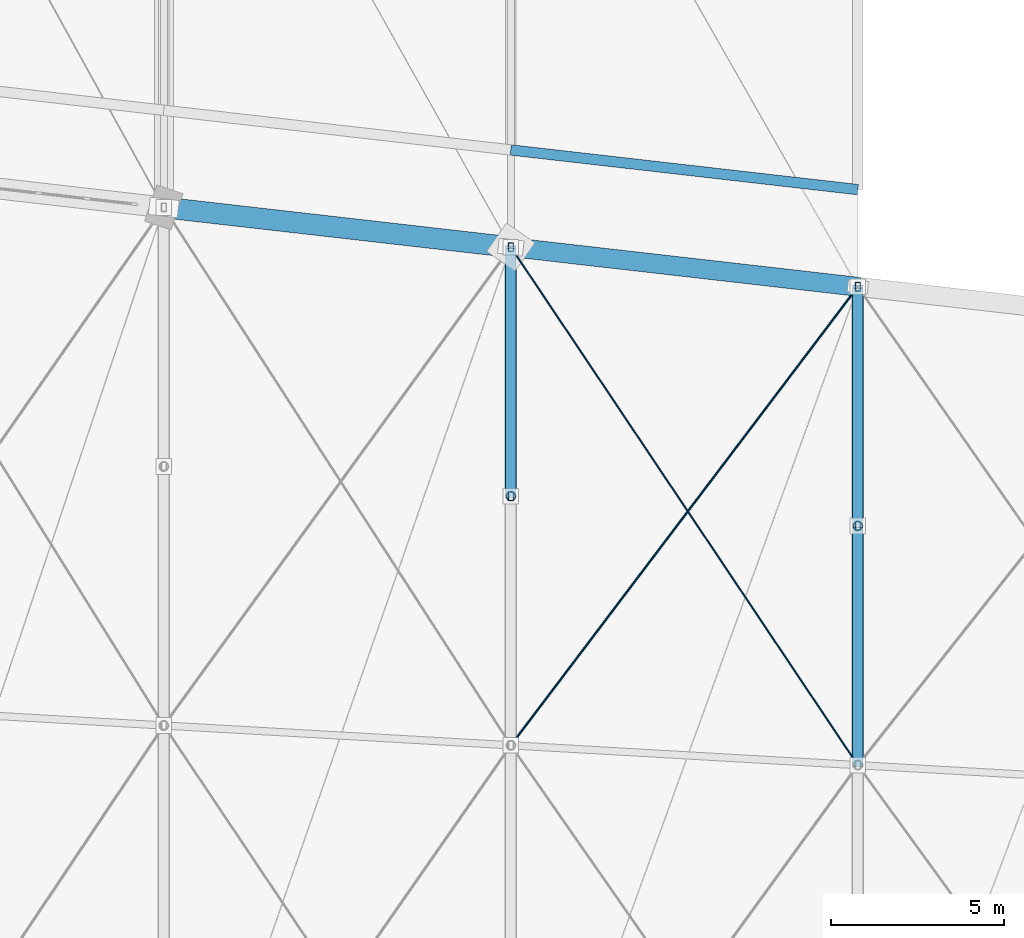
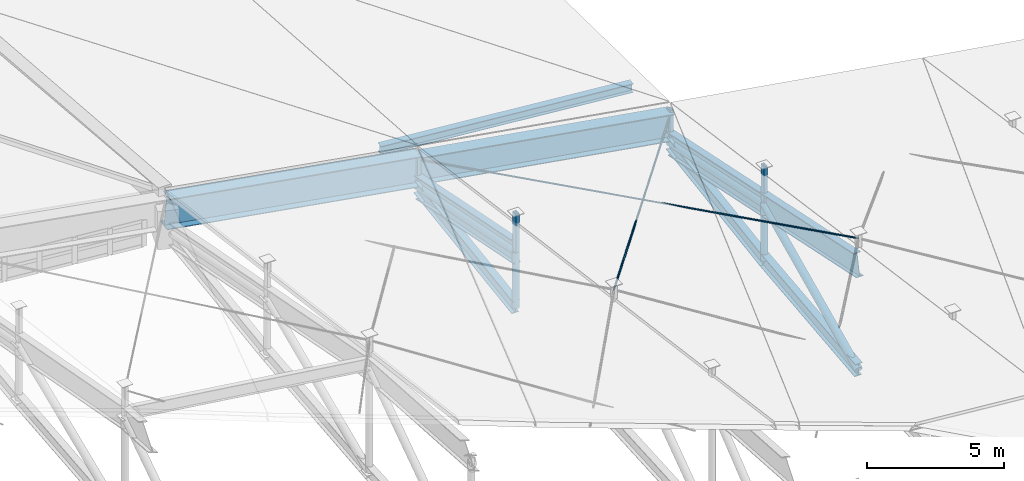
# One storey, part 36 of 68: 11 members, 9 beams.
"""IFC4 building model written with IfcOpenShell, lengths in metres."""

from ifc_helpers import new_model, si_unit, direction, frame, origin, origin_2d, place, context, subcontext, project, spatial, hollow_rectangle, circle, hollow_circle, i_section, extrude, material, material_profile, profile_set, type_object, element, save


model = new_model("IFC4")

# Units and contexts
model_context = context("Model", 3, precision=1e-05, world=origin(), true_north=direction((0.0, 1.0)))
body_context = subcontext(model_context, "Body", "Model", "MODEL_VIEW")
ifc_project = project(units=[si_unit("LENGTHUNIT", "METRE"), si_unit("AREAUNIT", "SQUARE_METRE"), si_unit("VOLUMEUNIT", "CUBIC_METRE"), si_unit("PLANEANGLEUNIT", "RADIAN"), si_unit("MASSUNIT", "GRAM", prefix="KILO")], contexts=[model_context])

# Site, building, storey
site_placement = place(None, origin())
site = spatial("IfcSite", under=ifc_project, at=site_placement, CompositionType="ELEMENT")
building_placement = place(site_placement, origin())
building = spatial("IfcBuilding", under=site, at=building_placement, Name="Sohan Crest Arena", CompositionType="ELEMENT")
storey_placement = place(building_placement, frame((0.0, 0.0, 27.0)))
storey = spatial("IfcBuildingStorey", under=building, at=storey_placement, Name="RF", CompositionType="ELEMENT", Elevation=27.0)

# Beams
ifc_material_1 = material(Name="Steel S355", Category="steel")
ifc_material_profile_1 = material_profile(ifc_material_1, i_section(OverallWidth=0.300048828125, OverallDepth=0.389892578125, WebThickness=0.010986328125, FlangeThickness=0.01904296875, at=origin_2d()), Name="HEA 400")
ifc_profile_set_1 = profile_set([ifc_material_profile_1], Name="Steel S355")
beam_type_1 = type_object("IfcBeamType", Name="STR-BM-B09", PredefinedType="BEAM", material=ifc_profile_set_1)
beam_1_placement = place(storey_placement, frame((128.0, 108.37109375, -0.4150390625), z_axis=(-0.993533063564, 0.113543170668, 0.0), x_axis=(-0.113543170668, -0.993533063564, 0.0)))
element("IfcBeam", 1, at=beam_1_placement, inside=storey, type_object=beam_type_1, Name="Structural beam RG-RF-1913", PredefinedType="BEAM", context=body_context, shape_type="SweptSolid", body=[
    extrude(i_section(OverallWidth=0.300048828125, OverallDepth=0.389892578125, WebThickness=0.010986328125, FlangeThickness=0.01904296875, at=origin_2d()), origin(), (0.0, 0.0, 1.0), 10.065185546875),
])
ifc_material_profile_2 = material_profile(ifc_material_1, i_section(OverallWidth=0.300048828125, OverallDepth=0.60009765625, WebThickness=0.015380859375, FlangeThickness=0.030029296875, at=origin_2d()), Name="HEB 600")
ifc_profile_set_2 = profile_set([ifc_material_profile_2], Name="Steel S355")
beam_type_2 = type_object("IfcBeamType", Name="STR-BM-B15", PredefinedType="BEAM", material=ifc_profile_set_2)
beam_2_placement = place(storey_placement, frame((118.0, 99.534912109375, -1.4130859375), z_axis=(0.0, 0.98947223168, 0.144722848006), x_axis=(-1.0, 0.0, 0.0)))
element("IfcBeam", 2, at=beam_2_placement, inside=storey, type_object=beam_type_2, Name="Structural beam RAB-RF-3063", PredefinedType="BEAM", context=body_context, shape_type="SweptSolid", body=[
    extrude(i_section(OverallWidth=0.300048828125, OverallDepth=0.60009765625, WebThickness=0.015380859375, FlangeThickness=0.030029296875, at=origin_2d()), origin(), (0.0, 0.0, 1.0), 7.255615234375),
])
beam_3_placement = place(storey_placement, frame((128.0, 91.784912109375, -3.02294921875), z_axis=(0.0, 0.994132780739, 0.10816660418), x_axis=(-1.0, 0.0, 0.0)))
element("IfcBeam", 3, at=beam_3_placement, inside=storey, type_object=beam_type_2, Name="Structural beam RAB-RF-3077", PredefinedType="BEAM", context=body_context, shape_type="SweptSolid", body=[
    extrude(i_section(OverallWidth=0.300048828125, OverallDepth=0.60009765625, WebThickness=0.015380859375, FlangeThickness=0.030029296875, at=origin_2d()), origin(), (0.0, 0.0, 1.0), 6.933837890625),
])
beam_4_placement = place(storey_placement, frame((128.0, 98.677978515625, -2.27294921875), z_axis=(0.0, 0.988595277469, 0.150596737565), x_axis=(-1.0, 0.0, 0.0)))
element("IfcBeam", 4, at=beam_4_placement, inside=storey, type_object=beam_type_2, Name="Structural beam RAB-RF-3079", PredefinedType="BEAM", context=body_context, shape_type="SweptSolid", body=[
    extrude(i_section(OverallWidth=0.300048828125, OverallDepth=0.60009765625, WebThickness=0.015380859375, FlangeThickness=0.030029296875, at=origin_2d()), origin(), (0.0, 0.0, 1.0), 6.97265625),
])
ifc_material_profile_3 = material_profile(ifc_material_1, i_section(OverallWidth=0.300048828125, OverallDepth=1.0, WebThickness=0.01904296875, FlangeThickness=0.035888671875, at=origin_2d()), Name="HEB 1000")
ifc_profile_set_3 = profile_set([ifc_material_profile_3], Name="Steel S355")
beam_type_3 = type_object("IfcBeamType", Name="STR-BM-B19", PredefinedType="BEAM", material=ifc_profile_set_3)
beam_5_placement = place(storey_placement, frame((118.0, 99.534912109375, 1.0810546875), z_axis=(0.0, 0.980363374285, -0.19719952931), x_axis=(-1.0, 0.0, 0.0)))
element("IfcBeam", 5, at=beam_5_placement, inside=storey, type_object=beam_type_3, Name="Structural beam RA-RF-3062", PredefinedType="BEAM", context=body_context, shape_type="SweptSolid", body=[
    extrude(i_section(OverallWidth=0.300048828125, OverallDepth=1.0, WebThickness=0.01904296875, FlangeThickness=0.035888671875, at=origin_2d()), origin(), (0.0, 0.0, 1.0), 7.322998046875),
])
for number, where, z_axis, x_axis, name in (
    (6, (128.0, 91.784912109375, 1.6650390625), (0.0, 0.978751972631, -0.205047740955), (-1.0, 0.0, 0.0), "Structural beam RA-RF-3076"),
    (7, (128.0, 98.677978515625, 0.220947265625), (0.0, 0.978758929211, -0.205014532385), (-1.0, 0.0, 0.0), "Structural beam RA-RF-3078"),
):
    element("IfcBeam", number, at=place(storey_placement, frame(where, z_axis=z_axis, x_axis=x_axis)), inside=storey, type_object=beam_type_3, Name=name, PredefinedType="BEAM", context=body_context, shape_type="SweptSolid", body=[
        extrude(i_section(OverallWidth=0.300048828125, OverallDepth=1.0, WebThickness=0.01904296875, FlangeThickness=0.035888671875, at=origin_2d()), origin(), (0.0, 0.0, 1.0), 7.042724609375),
    ])
ifc_material_profile_4 = material_profile(ifc_material_1, i_section(OverallWidth=0.550048828125, OverallDepth=1.199951171875, WebThickness=0.02197265625, FlangeThickness=0.034912109375, at=origin_2d()), Name="PG 1200x550x22x35")
ifc_profile_set_4 = profile_set([ifc_material_profile_4], Name="Steel S355")
beam_type_4 = type_object("IfcBeamType", Name="STR-BM-RB01", PredefinedType="USERDEFINED", material=ifc_profile_set_4)
beam_6_placement = place(storey_placement, frame((128.0, 105.571044921875, -0.4130859375), z_axis=(-0.989922479666, 0.11315471313, 0.085143967184), x_axis=(-0.113567114035, -0.99353032697, 0.0)))
element("IfcBeam", 8, at=beam_6_placement, inside=storey, type_object=beam_type_4, Name="Rising compression ring beam segment RB-32", ObjectType="RING BEAM", PredefinedType="USERDEFINED", context=body_context, shape_type="SweptSolid", body=[
    extrude(i_section(OverallWidth=0.550048828125, OverallDepth=1.199951171875, WebThickness=0.02197265625, FlangeThickness=0.034912109375, at=origin_2d()), origin(), (0.0, 0.0, 1.0), 10.101806640625),
])
ifc_material_profile_5 = material_profile(ifc_material_1, i_section(OverallWidth=0.60009765625, OverallDepth=1.35009765625, WebThickness=0.02392578125, FlangeThickness=0.035888671875, at=origin_2d()), Name="PG 1350x600x24x36")
ifc_profile_set_5 = profile_set([ifc_material_profile_5], Name="Steel S355")
beam_type_5 = type_object("IfcBeamType", Name="STR-BM-RB02", PredefinedType="USERDEFINED", material=ifc_profile_set_5)
beam_7_placement = place(storey_placement, frame((118.0, 106.714111328125, 0.447021484375), z_axis=(-0.989619635692, 0.113095935417, 0.088669532788), x_axis=(-0.113543170668, -0.993533063564, 0.0)))
element("IfcBeam", 9, at=beam_7_placement, inside=storey, type_object=beam_type_5, Name="Rising compression ring beam segment RB-33", ObjectType="RING BEAM", PredefinedType="USERDEFINED", context=body_context, shape_type="SweptSolid", body=[
    extrude(i_section(OverallWidth=0.60009765625, OverallDepth=1.35009765625, WebThickness=0.02392578125, FlangeThickness=0.035888671875, at=origin_2d()), origin(), (0.0, 0.0, 1.0), 10.10498046875),
])

# Members
ifc_material_profile_6 = material_profile(ifc_material_1, hollow_circle(Radius=0.136474609375, WallThickness=0.012451171875, at=origin_2d()), Name="CHS 273x12.5")
ifc_profile_set_6 = profile_set([ifc_material_profile_6], Name="Steel S355")
member_type_1 = type_object("IfcMemberType", Name="STR-MEM-BR02", PredefinedType="BRACE", material=ifc_profile_set_6)
member_1_placement = place(storey_placement, frame((118.0, 99.534912109375, -1.4130859375), z_axis=(0.0, 0.0, 1.0), x_axis=(1.0, 0.0, 0.0)))
element("IfcMember", 10, at=member_1_placement, inside=storey, type_object=member_type_1, Name="Lenticular roof truss web strut TW-131", PredefinedType="BRACE", context=body_context, shape_type="SweptSolid", body=[
    extrude(hollow_circle(Radius=0.136474609375, WallThickness=0.012451171875, at=origin_2d()), origin(), (0.0, 0.0, 1.0), 2.494140625),
])
member_2_placement = place(storey_placement, frame((128.0, 98.677978515625, -2.27294921875), z_axis=(0.0, 0.0, 1.0), x_axis=(1.0, 0.0, 0.0)))
element("IfcMember", 11, at=member_2_placement, inside=storey, type_object=member_type_1, Name="Lenticular roof truss web strut TW-155", PredefinedType="BRACE", context=body_context, shape_type="SweptSolid", body=[
    extrude(hollow_circle(Radius=0.136474609375, WallThickness=0.012451171875, at=origin_2d()), origin(), (0.0, 0.0, 1.0), 2.493896484375),
])
ifc_material_profile_7 = material_profile(ifc_material_1, hollow_circle(Radius=0.161865234375, WallThickness=0.012451171875, at=origin_2d()), Name="CHS 323.9x12.5")
ifc_profile_set_7 = profile_set([ifc_material_profile_7], Name="Steel S355")
member_type_2 = type_object("IfcMemberType", Name="STR-MEM-BR03", PredefinedType="BRACE", material=ifc_profile_set_7)
member_3_placement = place(storey_placement, frame((118.0, 106.714111328125, -0.363037109375), z_axis=(0.0, -0.980363374285, 0.19719952931), x_axis=(1.0, 0.0, 0.0)))
element("IfcMember", 12, at=member_3_placement, inside=storey, type_object=member_type_2, Name="Lenticular roof truss web diagonal TD-132", PredefinedType="BRACE", context=body_context, shape_type="SweptSolid", body=[
    extrude(hollow_circle(Radius=0.161865234375, WallThickness=0.012451171875, at=origin_2d()), origin(), (0.0, 0.0, 1.0), 7.322998046875),
])
member_4_placement = place(storey_placement, frame((128.0, 91.784912109375, -3.02294921875), z_axis=(0.0, 0.904813618201, 0.425807839663), x_axis=(-1.0, 0.0, 0.0)))
element("IfcMember", 13, at=member_4_placement, inside=storey, type_object=member_type_2, Name="Lenticular roof truss web diagonal TD-154", PredefinedType="BRACE", context=body_context, shape_type="SweptSolid", body=[
    extrude(hollow_circle(Radius=0.161865234375, WallThickness=0.012451171875, at=origin_2d()), origin(), (0.0, 0.0, 1.0), 7.6181640625),
])
member_5_placement = place(storey_placement, frame((128.0, 105.571044921875, -1.222900390625), z_axis=(0.0, -0.978758929211, 0.205014532385), x_axis=(1.0, 0.0, 0.0)))
element("IfcMember", 14, at=member_5_placement, inside=storey, type_object=member_type_2, Name="Lenticular roof truss web diagonal TD-156", PredefinedType="BRACE", context=body_context, shape_type="SweptSolid", body=[
    extrude(hollow_circle(Radius=0.161865234375, WallThickness=0.012451171875, at=origin_2d()), origin(), (0.0, 0.0, 1.0), 7.042724609375),
])
ifc_material_2 = material(Name="Steel S460", Category="steel")
ifc_material_profile_8 = material_profile(ifc_material_2, circle(Radius=0.031982421875, at=origin_2d()), Name="FLC D64")
ifc_profile_set_8 = profile_set([ifc_material_profile_8], Name="Steel S460")
member_type_3 = type_object("IfcMemberType", Name="STR-MEM-CB01", PredefinedType="USERDEFINED", material=ifc_profile_set_8)
member_6_placement = place(storey_placement, frame((118.0, 92.35693359375, 3.7041015625), z_axis=(0.588588477692, 0.777767367067, -0.220548241104), x_axis=(-0.797402553602, 0.603447733867, 0.0)))
element("IfcMember", 15, at=member_6_placement, inside=storey, type_object=member_type_3, Name="Full-locked-coil roof cable CB-023", ObjectType="CABLE", PredefinedType="USERDEFINED", context=body_context, shape_type="SweptSolid", body=[
    extrude(circle(Radius=0.031982421875, at=origin_2d()), origin(), (0.0, 0.0, 1.0), 16.98974609375),
])
ifc_material_profile_9 = material_profile(ifc_material_2, circle(Radius=0.02587890625, at=origin_2d()), Name="FLC D52")
ifc_profile_set_9 = profile_set([ifc_material_profile_9], Name="Steel S460")
member_type_4 = type_object("IfcMemberType", Name="STR-MEM-CB02", PredefinedType="USERDEFINED", material=ifc_profile_set_9)
member_7_placement = place(storey_placement, frame((118.0, 106.714111328125, 0.81689453125), z_axis=(0.553006267517, -0.825594073697, 0.112153883405), x_axis=(0.830835941835, 0.556517419094, 0.0)))
element("IfcMember", 16, at=member_7_placement, inside=storey, type_object=member_type_4, Name="Full-locked-coil roof cable CB-024", ObjectType="CABLE", PredefinedType="USERDEFINED", context=body_context, shape_type="SweptSolid", body=[
    extrude(circle(Radius=0.02587890625, at=origin_2d()), origin(), (0.0, 0.0, 1.0), 18.0830078125),
])
ifc_material_profile_10 = material_profile(ifc_material_1, hollow_rectangle(XDim=0.14990234375, YDim=0.25, WallThickness=0.010009765625, at=origin_2d()), Name="RHS 250x150x10")
ifc_profile_set_10 = profile_set([ifc_material_profile_10], Name="Steel S355")
member_type_5 = type_object("IfcMemberType", Name="STR-MEM-CH02", PredefinedType="CHORD", material=ifc_profile_set_10)
member_8_placement = place(storey_placement, frame((118.0, 99.534912109375, 1.0810546875), z_axis=(0.0, 0.0, 1.0), x_axis=(1.0, 0.0, 0.0)))
element("IfcMember", 17, at=member_8_placement, inside=storey, type_object=member_type_5, Name="Roof deck bearing saddle chord RSP-116", PredefinedType="CHORD", context=body_context, shape_type="SweptSolid", body=[
    extrude(hollow_rectangle(XDim=0.14990234375, YDim=0.25, WallThickness=0.010009765625, at=origin_2d()), origin(), (0.0, 0.0, 1.0), 1.72998046875),
])
member_9_placement = place(storey_placement, frame((118.0, 106.714111328125, -0.363037109375), z_axis=(0.0, 0.0, 1.0), x_axis=(1.0, 0.0, 0.0)))
element("IfcMember", 18, at=member_9_placement, inside=storey, type_object=member_type_5, Name="Roof deck bearing saddle chord RSP-117", PredefinedType="CHORD", context=body_context, shape_type="SweptSolid", body=[
    extrude(hollow_rectangle(XDim=0.14990234375, YDim=0.25, WallThickness=0.010009765625, at=origin_2d()), origin(), (0.0, 0.0, 1.0), 1.489990234375),
])
member_10_placement = place(storey_placement, frame((128.0, 98.677978515625, 0.220947265625), z_axis=(0.0, 0.0, 1.0), x_axis=(1.0, 0.0, 0.0)))
element("IfcMember", 19, at=member_10_placement, inside=storey, type_object=member_type_5, Name="Roof deck bearing saddle chord RSP-140", PredefinedType="CHORD", context=body_context, shape_type="SweptSolid", body=[
    extrude(hollow_rectangle(XDim=0.14990234375, YDim=0.25, WallThickness=0.010009765625, at=origin_2d()), origin(), (0.0, 0.0, 1.0), 1.72998046875),
])
member_11_placement = place(storey_placement, frame((128.0, 105.571044921875, -1.222900390625), z_axis=(0.0, 0.0, 1.0), x_axis=(1.0, 0.0, 0.0)))
element("IfcMember", 20, at=member_11_placement, inside=storey, type_object=member_type_5, Name="Roof deck bearing saddle chord RSP-141", PredefinedType="CHORD", context=body_context, shape_type="SweptSolid", body=[
    extrude(hollow_rectangle(XDim=0.14990234375, YDim=0.25, WallThickness=0.010009765625, at=origin_2d()), origin(), (0.0, 0.0, 1.0), 1.489990234375),
])

save(model, "model.ifc")
